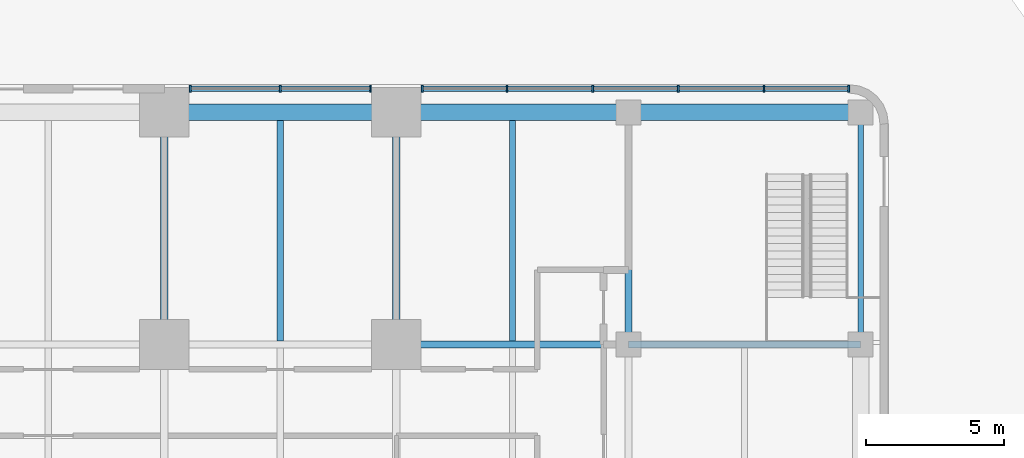
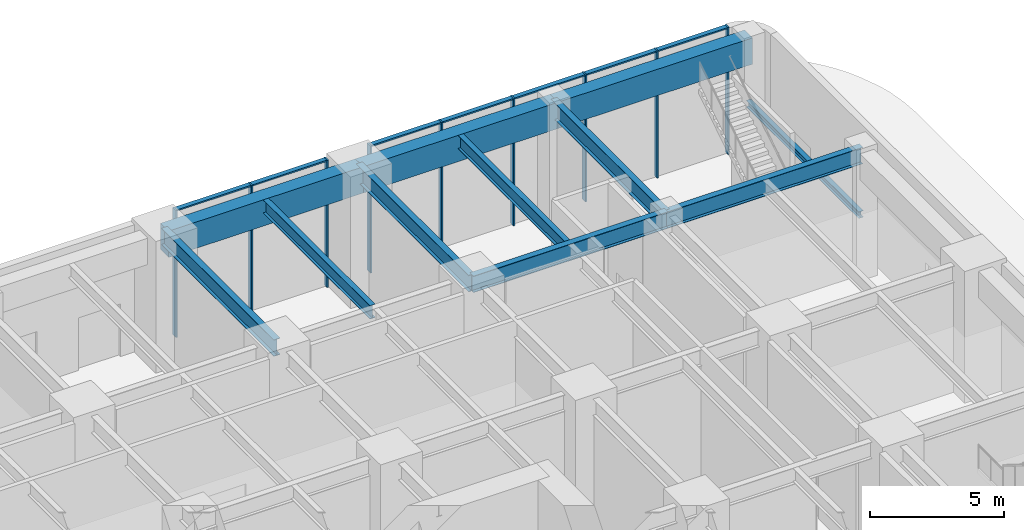
# One storey, part 8 of 21: 16 members, 11 beams, 1 element without a shape of its own.
"""IFC4 building model written with IfcOpenShell, lengths in metres."""

from ifc_helpers import new_model, si_unit, direction, frame, origin, origin_2d, place, context, subcontext, project, spatial, rectangle, i_section, extrude, material, material_profile, profile_set, type_object, element, aggregate, save


model = new_model("IFC4")

# Units and contexts
model_context = context("Model", 3, precision=1e-05, world=origin(), true_north=direction((0.0, 1.0)))
body_context = subcontext(model_context, "Body", "Model", "MODEL_VIEW")
ifc_project = project(units=[si_unit("LENGTHUNIT", "METRE"), si_unit("AREAUNIT", "SQUARE_METRE"), si_unit("VOLUMEUNIT", "CUBIC_METRE"), si_unit("PLANEANGLEUNIT", "RADIAN"), si_unit("MASSUNIT", "GRAM", prefix="KILO")], contexts=[model_context])

# Site, building, storey
site_placement = place(None, origin())
site = spatial("IfcSite", under=ifc_project, at=site_placement, CompositionType="ELEMENT")
building_placement = place(site_placement, origin())
building = spatial("IfcBuilding", under=site, at=building_placement, Name="Torre Alcanfor", CompositionType="ELEMENT")
storey_placement = place(building_placement, origin())
storey = spatial("IfcBuildingStorey", under=building, at=storey_placement, Name="L00", CompositionType="ELEMENT", Elevation=0.0)

# Curtain wall, members
ifc_material_1 = material(Name="Aluminium and glass", Category="aluminium")
curtain_wall_type = type_object("IfcCurtainWallType", Name="CW-C ground floor storefront glazing", PredefinedType="NOTDEFINED", material=ifc_material_1)
curtain_wall_placement = place(storey_placement, origin())
curtain_wall = element("IfcCurtainWall", 1, at=curtain_wall_placement, inside=storey, type_object=curtain_wall_type, Name="Curtain wall CW-C L00 N 3", PredefinedType="NOTDEFINED")
ifc_material_2 = material(Name="Extruded aluminium", Category="aluminium")
ifc_material_profile_1 = material_profile(ifc_material_2, rectangle(XDim=0.25, YDim=0.06494140625, at=origin_2d()), Name="CW-C mullion 65x250")
ifc_profile_set_1 = profile_set([ifc_material_profile_1], Name="Extruded aluminium")
member_type_1 = type_object("IfcMemberType", Name="CW-C mullion 65x250", PredefinedType="MULLION", material=ifc_profile_set_1)
member_1_placement = place(storey_placement, frame((58.367431640625, 59.64990234375, 0.0), z_axis=(0.0, 0.0, 1.0), x_axis=(0.0, -1.0, 0.0)))
member_1 = element("IfcMember", 2, at=member_1_placement, type_object=member_type_1, Name="CW-C mullion 1.1", PredefinedType="MULLION", context=body_context, shape_type="SweptSolid", body=[
    extrude(rectangle(XDim=0.25, YDim=0.06494140625, at=origin_2d()), origin(), (0.0, 0.0, 1.0), 5.800048828125),
])
member_2_placement = place(storey_placement, frame((55.301025390625, 59.64990234375, 0.0), z_axis=(0.0, 0.0, 1.0), x_axis=(0.0, -1.0, 0.0)))
member_2 = element("IfcMember", 3, at=member_2_placement, type_object=member_type_1, Name="CW-C mullion 1.2", PredefinedType="MULLION", context=body_context, shape_type="SweptSolid", body=[
    extrude(rectangle(XDim=0.25, YDim=0.06494140625, at=origin_2d()), origin(), (0.0, 0.0, 1.0), 5.800048828125),
])
member_3_placement = place(storey_placement, frame((52.201904296875, 59.64990234375, 0.0), z_axis=(0.0, 0.0, 1.0), x_axis=(0.0, -1.0, 0.0)))
member_3 = element("IfcMember", 4, at=member_3_placement, type_object=member_type_1, Name="CW-C mullion 1.3", PredefinedType="MULLION", context=body_context, shape_type="SweptSolid", body=[
    extrude(rectangle(XDim=0.25, YDim=0.06494140625, at=origin_2d()), origin(), (0.0, 0.0, 1.0), 5.800048828125),
])
member_4_placement = place(storey_placement, frame((49.10302734375, 59.64990234375, 0.0), z_axis=(0.0, 0.0, 1.0), x_axis=(0.0, -1.0, 0.0)))
member_4 = element("IfcMember", 5, at=member_4_placement, type_object=member_type_1, Name="CW-C mullion 1.4", PredefinedType="MULLION", context=body_context, shape_type="SweptSolid", body=[
    extrude(rectangle(XDim=0.25, YDim=0.06494140625, at=origin_2d()), origin(), (0.0, 0.0, 1.0), 5.800048828125),
])
member_5_placement = place(storey_placement, frame((46.00390625, 59.64990234375, 0.0), z_axis=(0.0, 0.0, 1.0), x_axis=(0.0, -1.0, 0.0)))
member_5 = element("IfcMember", 6, at=member_5_placement, type_object=member_type_1, Name="CW-C mullion 1.5", PredefinedType="MULLION", context=body_context, shape_type="SweptSolid", body=[
    extrude(rectangle(XDim=0.25, YDim=0.06494140625, at=origin_2d()), origin(), (0.0, 0.0, 1.0), 5.800048828125),
])
member_6_placement = place(storey_placement, frame((42.9375, 59.64990234375, 0.0), z_axis=(0.0, 0.0, 1.0), x_axis=(0.0, -1.0, 0.0)))
member_6 = element("IfcMember", 7, at=member_6_placement, type_object=member_type_1, Name="CW-C mullion 1.6", PredefinedType="MULLION", context=body_context, shape_type="SweptSolid", body=[
    extrude(rectangle(XDim=0.25, YDim=0.06494140625, at=origin_2d()), origin(), (0.0, 0.0, 1.0), 5.800048828125),
])
member_7_placement = place(storey_placement, frame((41.0625, 59.64990234375, 0.0), z_axis=(0.0, 0.0, 1.0), x_axis=(0.0, -1.0, 0.0)))
member_7 = element("IfcMember", 8, at=member_7_placement, type_object=member_type_1, Name="CW-C mullion 2.1", PredefinedType="MULLION", context=body_context, shape_type="SweptSolid", body=[
    extrude(rectangle(XDim=0.25, YDim=0.06494140625, at=origin_2d()), origin(), (0.0, 0.0, 1.0), 5.800048828125),
])
member_8_placement = place(storey_placement, frame((37.800048828125, 59.64990234375, 0.0), z_axis=(0.0, 0.0, 1.0), x_axis=(0.0, -1.0, 0.0)))
member_8 = element("IfcMember", 9, at=member_8_placement, type_object=member_type_1, Name="CW-C mullion 2.2", PredefinedType="MULLION", context=body_context, shape_type="SweptSolid", body=[
    extrude(rectangle(XDim=0.25, YDim=0.06494140625, at=origin_2d()), origin(), (0.0, 0.0, 1.0), 5.800048828125),
])
member_9_placement = place(storey_placement, frame((34.53759765625, 59.64990234375, 0.0), z_axis=(0.0, 0.0, 1.0), x_axis=(0.0, -1.0, 0.0)))
member_9 = element("IfcMember", 10, at=member_9_placement, type_object=member_type_1, Name="CW-C mullion 2.3", PredefinedType="MULLION", context=body_context, shape_type="SweptSolid", body=[
    extrude(rectangle(XDim=0.25, YDim=0.06494140625, at=origin_2d()), origin(), (0.0, 0.0, 1.0), 5.800048828125),
])
ifc_material_3 = material(Name="Extruded aluminium", Category="aluminium")
ifc_material_profile_2 = material_profile(ifc_material_3, rectangle(XDim=0.199951171875, YDim=0.06494140625, at=origin_2d()), Name="CW-C transom 200x65")
ifc_profile_set_2 = profile_set([ifc_material_profile_2], Name="Extruded aluminium")
member_type_2 = type_object("IfcMemberType", Name="CW-C transom 65x200", PredefinedType="USERDEFINED", material=ifc_profile_set_2)
member_10_placement = place(storey_placement, frame((58.3349609375, 59.64990234375, 5.767578125), z_axis=(-1.0, 0.0, 0.0), x_axis=(0.0, -1.0, 0.0)))
member_10 = element("IfcMember", 11, at=member_10_placement, type_object=member_type_2, Name="CW-C transom 1.1.2", ObjectType="TRANSOM", PredefinedType="USERDEFINED", context=body_context, shape_type="SweptSolid", body=[
    extrude(rectangle(XDim=0.199951171875, YDim=0.06494140625, at=origin_2d()), origin(), (0.0, 0.0, 1.0), 3.00146484375),
])
member_11_placement = place(storey_placement, frame((55.2685546875, 59.64990234375, 5.767578125), z_axis=(-1.0, 0.0, 0.0), x_axis=(0.0, -1.0, 0.0)))
member_11 = element("IfcMember", 12, at=member_11_placement, type_object=member_type_2, Name="CW-C transom 1.2.2", ObjectType="TRANSOM", PredefinedType="USERDEFINED", context=body_context, shape_type="SweptSolid", body=[
    extrude(rectangle(XDim=0.199951171875, YDim=0.06494140625, at=origin_2d()), origin(), (0.0, 0.0, 1.0), 3.033935546875),
])
member_12_placement = place(storey_placement, frame((52.16943359375, 59.64990234375, 5.767578125), z_axis=(-1.0, 0.0, 0.0), x_axis=(0.0, -1.0, 0.0)))
member_12 = element("IfcMember", 13, at=member_12_placement, type_object=member_type_2, Name="CW-C transom 1.3.2", ObjectType="TRANSOM", PredefinedType="USERDEFINED", context=body_context, shape_type="SweptSolid", body=[
    extrude(rectangle(XDim=0.199951171875, YDim=0.06494140625, at=origin_2d()), origin(), (0.0, 0.0, 1.0), 3.033935546875),
])
member_13_placement = place(storey_placement, frame((49.070556640625, 59.64990234375, 5.767578125), z_axis=(-1.0, 0.0, 0.0), x_axis=(0.0, -1.0, 0.0)))
member_13 = element("IfcMember", 14, at=member_13_placement, type_object=member_type_2, Name="CW-C transom 1.4.2", ObjectType="TRANSOM", PredefinedType="USERDEFINED", context=body_context, shape_type="SweptSolid", body=[
    extrude(rectangle(XDim=0.199951171875, YDim=0.06494140625, at=origin_2d()), origin(), (0.0, 0.0, 1.0), 3.033935546875),
])
member_14_placement = place(storey_placement, frame((45.971435546875, 59.64990234375, 5.767578125), z_axis=(-1.0, 0.0, 0.0), x_axis=(0.0, -1.0, 0.0)))
member_14 = element("IfcMember", 15, at=member_14_placement, type_object=member_type_2, Name="CW-C transom 1.5.2", ObjectType="TRANSOM", PredefinedType="USERDEFINED", context=body_context, shape_type="SweptSolid", body=[
    extrude(rectangle(XDim=0.199951171875, YDim=0.06494140625, at=origin_2d()), origin(), (0.0, 0.0, 1.0), 3.00146484375),
])
member_15_placement = place(storey_placement, frame((41.030029296875, 59.64990234375, 5.767578125), z_axis=(-1.0, 0.0, 0.0), x_axis=(0.0, -1.0, 0.0)))
member_15 = element("IfcMember", 16, at=member_15_placement, type_object=member_type_2, Name="CW-C transom 2.1.2", ObjectType="TRANSOM", PredefinedType="USERDEFINED", context=body_context, shape_type="SweptSolid", body=[
    extrude(rectangle(XDim=0.199951171875, YDim=0.06494140625, at=origin_2d()), origin(), (0.0, 0.0, 1.0), 3.197509765625),
])
member_16_placement = place(storey_placement, frame((37.767578125, 59.64990234375, 5.767578125), z_axis=(-1.0, 0.0, 0.0), x_axis=(0.0, -1.0, 0.0)))
member_16 = element("IfcMember", 17, at=member_16_placement, type_object=member_type_2, Name="CW-C transom 2.2.2", ObjectType="TRANSOM", PredefinedType="USERDEFINED", context=body_context, shape_type="SweptSolid", body=[
    extrude(rectangle(XDim=0.199951171875, YDim=0.06494140625, at=origin_2d()), origin(), (0.0, 0.0, 1.0), 3.197509765625),
])
aggregate(curtain_wall, [member_1, member_2, member_3, member_4, member_5, member_6, member_10, member_11, member_12, member_13, member_14, member_7, member_8, member_9, member_15, member_16])

# Beams
ifc_material_4 = material(Name="Steel ASTM A992 Grade 50", Category="steel")
ifc_material_profile_3 = material_profile(ifc_material_4, i_section(OverallWidth=0.2666015625, OverallDepth=0.7568359375, WebThickness=0.013916015625, FlangeThickness=0.019287109375, at=origin_2d()), Name="W30x108")
ifc_profile_set_3 = profile_set([ifc_material_profile_3], Name="Steel ASTM A992 Grade 50")
beam_type_1 = type_object("IfcBeamType", Name="Girder W30x108", PredefinedType="BEAM", material=ifc_profile_set_3)
beam_1_placement = place(storey_placement, frame((42.0, 50.39990234375, 5.421630859375), z_axis=(1.0, 0.0, 0.0), x_axis=(0.0, 1.0, 0.0)))
element("IfcBeam", 18, at=beam_1_placement, inside=storey, type_object=beam_type_1, Name="Beam 6J-7J under L01", PredefinedType="BEAM", context=body_context, shape_type="SweptSolid", body=[
    extrude(i_section(OverallWidth=0.2666015625, OverallDepth=0.7568359375, WebThickness=0.013916015625, FlangeThickness=0.019287109375, at=origin_2d()), origin(), (0.0, 0.0, 1.0), 8.39990234375),
])
for number, where, z_axis, x_axis, name in (
    (19, (50.39990234375, 50.39990234375, 5.421630859375), (1.0, 0.0, 0.0), (0.0, 1.0, 0.0), "Beam 7J-8J under L01"),
    (20, (33.60009765625, 50.39990234375, 5.421630859375), (0.0, 1.0, 0.0), (-1.0, 0.0, 0.0), "Beam 5J-5K under L01"),
    (21, (42.0, 50.39990234375, 5.421630859375), (0.0, 1.0, 0.0), (-1.0, 0.0, 0.0), "Beam 6J-6K under L01"),
    (22, (50.39990234375, 50.39990234375, 5.421630859375), (0.0, 1.0, 0.0), (-1.0, 0.0, 0.0), "Beam 7J-7K under L01"),
):
    element("IfcBeam", number, at=place(storey_placement, frame(where, z_axis=z_axis, x_axis=x_axis)), inside=storey, type_object=beam_type_1, Name=name, PredefinedType="BEAM", context=body_context, shape_type="SweptSolid", body=[
        extrude(i_section(OverallWidth=0.2666015625, OverallDepth=0.7568359375, WebThickness=0.013916015625, FlangeThickness=0.019287109375, at=origin_2d()), origin(), (0.0, 0.0, 1.0), 8.400146484375),
    ])
ifc_material_5 = material(Name="Concrete f'c 70 MPa", Category="concrete")
ifc_material_profile_4 = material_profile(ifc_material_5, rectangle(XDim=0.60009765625, YDim=1.199951171875, at=origin_2d()), Name="600x1200")
ifc_profile_set_4 = profile_set([ifc_material_profile_4], Name="Concrete f'c 70 MPa")
beam_type_2 = type_object("IfcBeamType", Name="RC perimeter beam 600x1200", PredefinedType="BEAM", material=ifc_profile_set_4)
for number, where, z_axis, x_axis, name in (
    (23, (33.60009765625, 58.800048828125, 5.199951171875), (1.0, 0.0, 0.0), (0.0, 1.0, 0.0), "Beam 5K-6K under L01"),
    (24, (42.0, 58.800048828125, 5.199951171875), (1.0, 0.0, 0.0), (0.0, 1.0, 0.0), "Beam 6K-7K under L01"),
):
    element("IfcBeam", number, at=place(storey_placement, frame(where, z_axis=z_axis, x_axis=x_axis)), inside=storey, type_object=beam_type_2, Name=name, PredefinedType="BEAM", context=body_context, shape_type="SweptSolid", body=[
        extrude(rectangle(XDim=0.60009765625, YDim=1.199951171875, at=origin_2d()), origin(), (0.0, 0.0, 1.0), 8.39990234375),
    ])
beam_2_placement = place(storey_placement, frame((50.39990234375, 58.800048828125, 5.199951171875), z_axis=(1.0, 0.0, 0.0), x_axis=(0.0, 1.0, 0.0)))
element("IfcBeam", 25, at=beam_2_placement, inside=storey, type_object=beam_type_2, Name="Beam 7K-8K under L01", PredefinedType="BEAM", context=body_context, shape_type="SweptSolid", body=[
    extrude(rectangle(XDim=0.60009765625, YDim=1.199951171875, at=origin_2d()), origin(), (0.0, 0.0, 1.0), 8.400146484375),
])
ifc_material_6 = material(Name="Steel ASTM A992 Grade 50", Category="steel")
ifc_material_profile_5 = material_profile(ifc_material_6, i_section(OverallWidth=0.203369140625, OverallDepth=0.30224609375, WebThickness=0.007568359375, FlangeThickness=0.01318359375, at=origin_2d()), Name="W12x40")
ifc_profile_set_5 = profile_set([ifc_material_profile_5], Name="Steel ASTM A992 Grade 50")
beam_type_3 = type_object("IfcBeamType", Name="School stair landing beam W12x40", PredefinedType="BEAM", material=ifc_profile_set_5)
beam_3_placement = place(storey_placement, frame((58.800048828125, 50.39990234375, 2.64892578125), z_axis=(0.0, 1.0, 0.0), x_axis=(-1.0, 0.0, 0.0)))
element("IfcBeam", 26, at=beam_3_placement, inside=storey, type_object=beam_type_3, Name="Landing beam SS4 L00", PredefinedType="BEAM", context=body_context, shape_type="SweptSolid", body=[
    extrude(i_section(OverallWidth=0.203369140625, OverallDepth=0.30224609375, WebThickness=0.007568359375, FlangeThickness=0.01318359375, at=origin_2d()), origin(), (0.0, 0.0, 1.0), 8.400146484375),
])
ifc_material_7 = material(Name="Steel ASTM A992 Grade 50", Category="steel")
ifc_material_profile_6 = material_profile(ifc_material_7, i_section(OverallWidth=0.22900390625, OverallDepth=0.612060546875, WebThickness=0.011962890625, FlangeThickness=0.01953125, at=origin_2d()), Name="W24x84")
ifc_profile_set_6 = profile_set([ifc_material_profile_6], Name="Steel ASTM A992 Grade 50")
beam_type_4 = type_object("IfcBeamType", Name="Secondary beam W24x84", PredefinedType="BEAM", material=ifc_profile_set_6)
for number, where, z_axis, x_axis, name in (
    (27, (37.800048828125, 50.532958984375, 5.493896484375), (0.0, 1.0, 0.0), (-1.0, 0.0, 0.0), "Beam 37_8J-37_8K under L01"),
    (28, (46.199951171875, 50.532958984375, 5.493896484375), (0.0, 1.0, 0.0), (-1.0, 0.0, 0.0), "Beam 46_2J-46_2K under L01"),
):
    element("IfcBeam", number, at=place(storey_placement, frame(where, z_axis=z_axis, x_axis=x_axis)), inside=storey, type_object=beam_type_4, Name=name, PredefinedType="BEAM", context=body_context, shape_type="SweptSolid", body=[
        extrude(i_section(OverallWidth=0.22900390625, OverallDepth=0.612060546875, WebThickness=0.011962890625, FlangeThickness=0.01953125, at=origin_2d()), origin(), (0.0, 0.0, 1.0), 7.967041015625),
    ])

save(model, "model.ifc")
